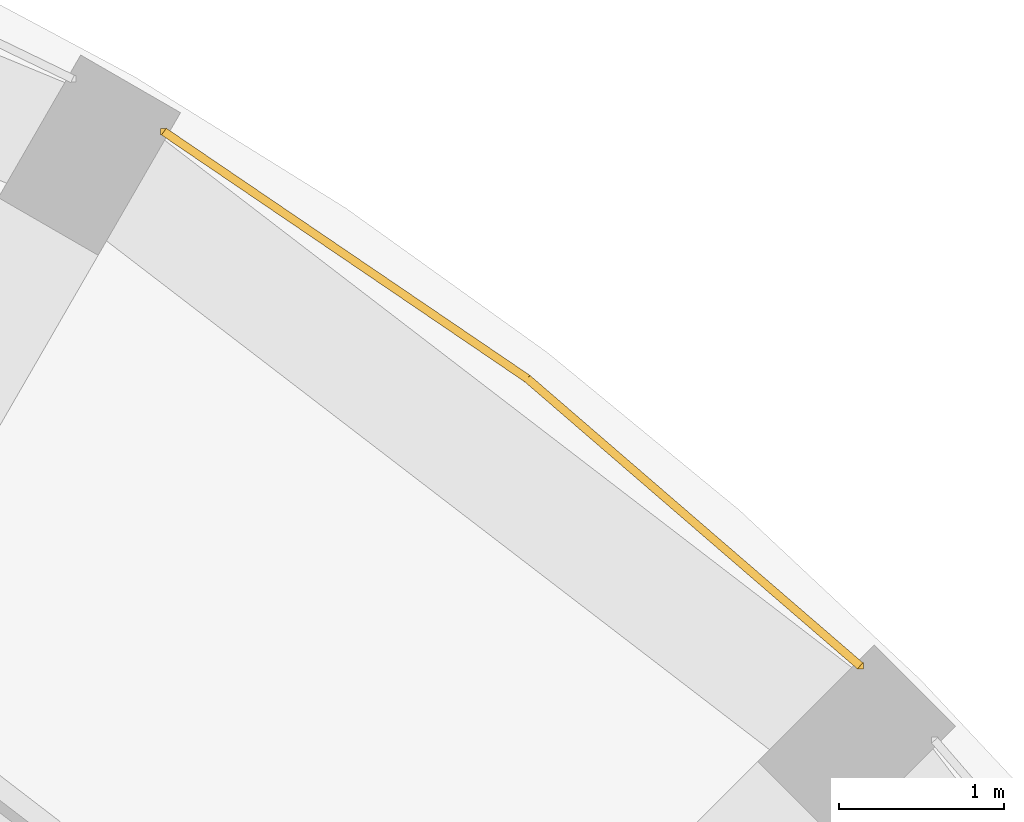
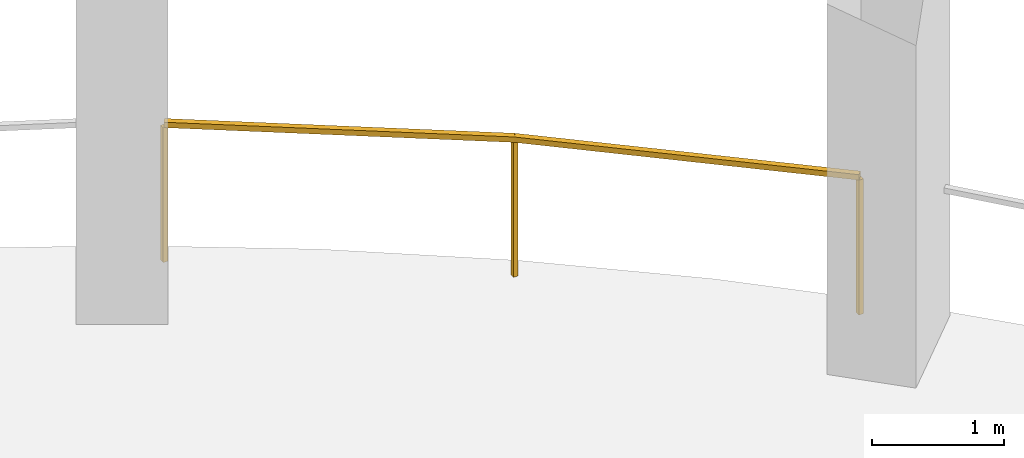
# One storey, part 9 of 9: 1 railing.
"""IFC4 building model written with IfcOpenShell, lengths in metres."""

from ifc_helpers import new_model, si_unit, direction, frame, origin, origin_2d, place, context, subcontext, project, spatial, rectangle, extrude, material, type_object, element, save


model = new_model("IFC4")

# Units and contexts
model_context = context("Model", 3, precision=1e-05, world=origin(), true_north=direction((0.0, 1.0)))
body_context = subcontext(model_context, "Body", "Model", "MODEL_VIEW")
ifc_project = project(units=[si_unit("LENGTHUNIT", "METRE"), si_unit("AREAUNIT", "SQUARE_METRE"), si_unit("VOLUMEUNIT", "CUBIC_METRE"), si_unit("PLANEANGLEUNIT", "RADIAN"), si_unit("MASSUNIT", "GRAM", prefix="KILO")], contexts=[model_context])

# Site, building, storey
site_placement = place(None, origin())
site = spatial("IfcSite", under=ifc_project, at=site_placement, CompositionType="ELEMENT")
building_placement = place(site_placement, origin())
building = spatial("IfcBuilding", under=site, at=building_placement, Name="Torre Triforio", CompositionType="ELEMENT")
storey_placement = place(building_placement, frame((0.0, 0.0, 180.10009765625)))
storey = spatial("IfcBuildingStorey", under=building, at=storey_placement, Name="L41", CompositionType="ELEMENT", Elevation=180.10009765625)

# Railing
ifc_material = material(Name="Stainless steel AISI 316", Category="steel")
railing_type = type_object("IfcRailingType", Name="Loggia guard 1300", PredefinedType="GUARDRAIL", material=ifc_material)
railing_placement = place(storey_placement, frame((15.93115234375, 16.3837890625, 0.0)))
element("IfcRailing", 1, at=railing_placement, inside=storey, type_object=railing_type, Name="Loggia guard L41 bay 04", PredefinedType="GUARDRAIL", context=body_context, shape_type="SweptSolid", body=[
    extrude(rectangle(XDim=0.050048828125, YDim=0.050048828125, at=origin_2d()), frame((0.0, 0.0, 1.27490234375), z_axis=(-0.757012150376, 0.653400799038, 0.0), x_axis=(-0.653400799038, -0.757012150376, 0.0)), (0.0, 0.0, 1.0), 2.669677734375),
    extrude(rectangle(XDim=0.050048828125, YDim=0.050048828125, at=origin_2d()), frame((-2.02099609375, 1.744384765625, 1.27490234375), z_axis=(-0.827093160774, 0.562064856935, 0.0), x_axis=(-0.562064856935, -0.827093160774, 0.0)), (0.0, 0.0, 1.0), 2.669677734375),
    extrude(rectangle(XDim=0.0400390625, YDim=0.0400390625, at=origin_2d()), origin(), (0.0, 0.0, 1.0), 1.25),
    extrude(rectangle(XDim=0.0400390625, YDim=0.0400390625, at=origin_2d()), frame((-2.02099609375, 1.744384765625, 0.0)), (0.0, 0.0, 1.0), 1.25),
    extrude(rectangle(XDim=0.0400390625, YDim=0.0400390625, at=origin_2d()), frame((-4.22900390625, 3.244873046875, 0.0)), (0.0, 0.0, 1.0), 1.25),
])

save(model, "model.ifc")
